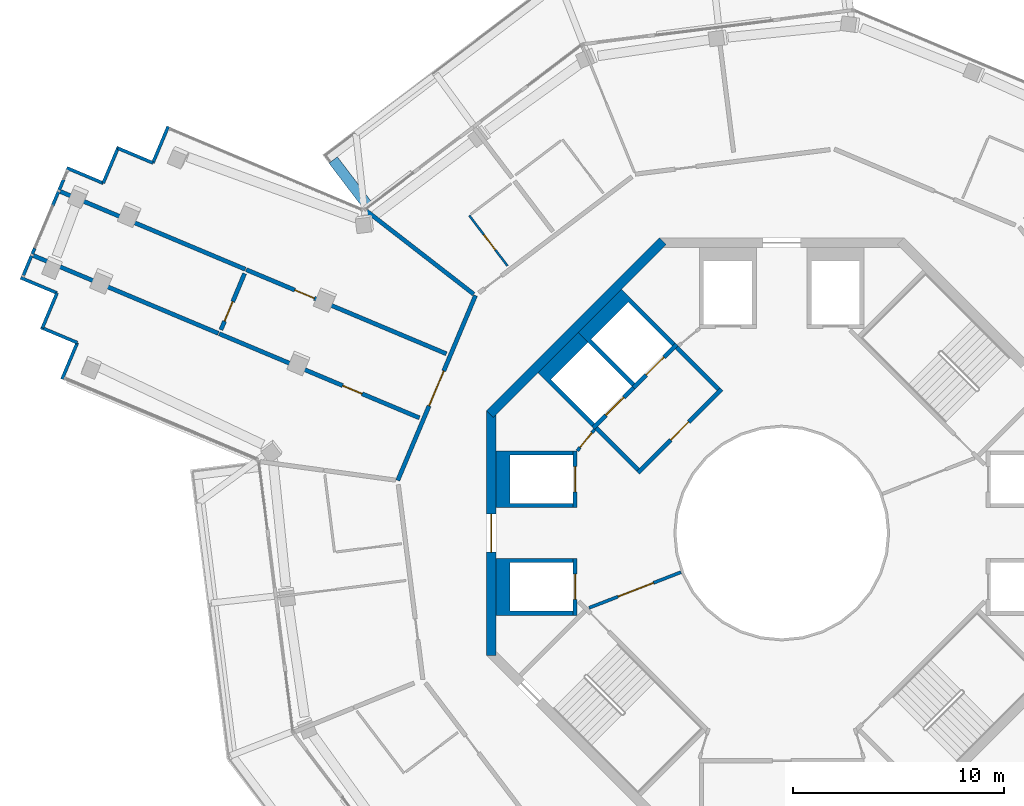
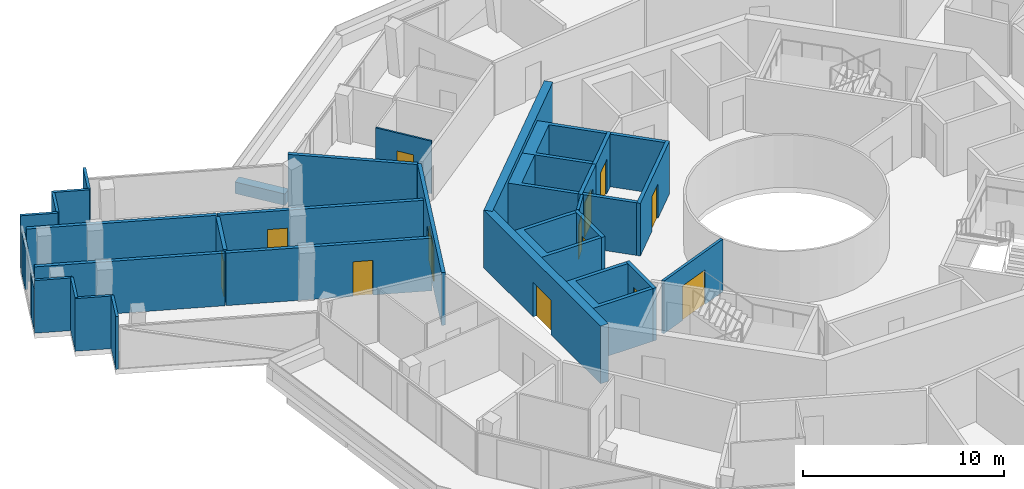
# One storey, part 20 of 26: 36 walls, 13 doors, 13 openings.
"""IFC4 building model written with IfcOpenShell, lengths in metres."""

import ifcopenshell
import ifcopenshell.guid

model = None  # the IFC model being written
_history = None  # IfcOwnerHistory: only IFC2X3 demands one
_inside = {}  # id of a spatial element -> (the spatial element, [elements in it])
_under = {}  # id of a project, library or spatial element -> (it, [spatial elements below it])
_declared = {}  # id of a project -> (the project, [libraries it declares])
_typed = {}  # id of a type object -> (the type object, [elements of that type])
_made_of = {}  # id of a material, layer set ... -> (it, [elements and type objects made of it])


def new_model(schema):
    """Start an empty IFC model of exactly this schema.

    Asked for "IFC4X3", IfcOpenShell would pick the latest addendum, in which some entities
    have other attributes; the version numbers below select the first issue.
    IFC2X3 requires an IfcOwnerHistory on every rooted entity: one is made here for all.
    """
    global model, _history
    if schema == "IFC4X3":
        model = ifcopenshell.file(schema_version=(4, 3, 0, 0))
    else:
        model = ifcopenshell.file(schema=schema)
    _inside.clear()
    _under.clear()
    _declared.clear()
    _typed.clear()
    _made_of.clear()
    _history = None
    if model.schema == "IFC2X3":
        org = make("IfcOrganization", Name="unknown")
        user = make(
            "IfcPersonAndOrganization",
            ThePerson=make("IfcPerson", FamilyName="unknown"),
            TheOrganization=org,
        )
        app = make(
            "IfcApplication",
            ApplicationDeveloper=org,
            Version="unknown",
            ApplicationFullName="unknown",
            ApplicationIdentifier="unknown",
        )
        _history = make(
            "IfcOwnerHistory",
            OwningUser=user,
            OwningApplication=app,
            ChangeAction="ADDED",
            CreationDate=0,
        )
    return model


def make(cls, **values):
    """One entity of the class cls with the attributes given. An attribute that is None is left unset."""
    return model.create_entity(
        cls, **{name: value for name, value in values.items() if value is not None}
    )


def rooted(cls, **values):
    """An entity with a GlobalId (a new one), such as an element, a storey or a relation."""
    return make(cls, GlobalId=ifcopenshell.guid.new(), OwnerHistory=_history, **values)


def si_unit(unit_type, name, prefix=None):
    """IfcSIUnit, for example si_unit("LENGTHUNIT", "METRE", prefix="MILLI")."""
    return make("IfcSIUnit", UnitType=unit_type, Prefix=prefix, Name=name)


def assignment(units):
    """IfcUnitAssignment: the units of a project."""
    return None if units is None else make("IfcUnitAssignment", Units=units)


def point(xyz):
    """IfcCartesianPoint."""
    return None if xyz is None else make("IfcCartesianPoint", Coordinates=xyz)


def direction(xyz):
    """IfcDirection."""
    return None if xyz is None else make("IfcDirection", DirectionRatios=xyz)


def frame(location, z_axis=None, x_axis=None):
    """IfcAxis2Placement3D, a coordinate frame: its origin and axes. An axis left out is left unset."""
    return make(
        "IfcAxis2Placement3D",
        Location=point(location),
        Axis=direction(z_axis),
        RefDirection=direction(x_axis),
    )


def frame_2d(location, x_axis=None):
    """IfcAxis2Placement2D, a coordinate frame in the plane: its origin and x axis."""
    return make(
        "IfcAxis2Placement2D", Location=point(location), RefDirection=direction(x_axis)
    )


def origin():
    """The frame at (0, 0, 0) with its axes left unset."""
    return frame((0.0, 0.0, 0.0))


def place(relative_to, where):
    """IfcLocalPlacement: puts the frame where relative to a parent placement (None: the world)."""
    return make(
        "IfcLocalPlacement", PlacementRelTo=relative_to, RelativePlacement=where
    )


def context(
    kind, dimensions, precision=None, world=None, true_north=None, identifier=None
):
    """IfcGeometricRepresentationContext, for example the 3D "Model" context."""
    return make(
        "IfcGeometricRepresentationContext",
        ContextIdentifier=identifier,
        ContextType=kind,
        CoordinateSpaceDimension=dimensions,
        Precision=precision,
        WorldCoordinateSystem=world,
        TrueNorth=true_north,
    )


def subcontext(parent, identifier, kind, view, scale=None):
    """IfcGeometricRepresentationSubContext, for example "Body" below "Model"."""
    return make(
        "IfcGeometricRepresentationSubContext",
        ContextIdentifier=identifier,
        ContextType=kind,
        ParentContext=parent,
        TargetScale=scale,
        TargetView=view,
    )


def project(units=None, contexts=None):
    """IfcProject with its units and contexts."""
    return rooted(
        "IfcProject",
        Name="project",
        RepresentationContexts=contexts,
        UnitsInContext=assignment(units),
    )


def spatial(cls, under=None, at=None, **own):
    """A site, building, storey or space (cls), placed at a placement, below another one or the project."""
    s = rooted(cls, ObjectPlacement=at, **own)
    if under is not None:
        _under.setdefault(under.id(), (under, []))[1].append(s)
    return s


def polyline(points):
    """IfcPolyline through the points."""
    return make("IfcPolyline", Points=[point(p) for p in points])


def profile(cls, at=None, kind="AREA", **sizes):
    """A parametric profile (cls). Its sizes go by their IFC names, for example OverallWidth=200.0."""
    return make(cls, ProfileType=kind, Position=at, **sizes)


def rectangle(**sizes):
    """IfcRectangleProfileDef."""
    return profile("IfcRectangleProfileDef", **sizes)


def outline(outer, holes=None, kind="AREA"):
    """IfcArbitraryClosedProfileDef: a profile drawn as a closed curve; with holes, ...WithVoids."""
    if holes is None:
        return make("IfcArbitraryClosedProfileDef", ProfileType=kind, OuterCurve=outer)
    return make(
        "IfcArbitraryProfileDefWithVoids",
        ProfileType=kind,
        OuterCurve=outer,
        InnerCurves=holes,
    )


def extrude(swept, where, along, depth):
    """IfcExtrudedAreaSolid: the profile swept, set in the frame where, extruded along a direction by depth."""
    return make(
        "IfcExtrudedAreaSolid",
        SweptArea=swept,
        Position=where,
        ExtrudedDirection=direction(along),
        Depth=depth,
    )


def shape(context_of_items, identifier, shape_type, items):
    """IfcShapeRepresentation: the items that make up one representation, for example the "Body"."""
    return make(
        "IfcShapeRepresentation",
        ContextOfItems=context_of_items,
        RepresentationIdentifier=identifier,
        RepresentationType=shape_type,
        Items=items,
    )


def material(Name=None, Category=None):
    """IfcMaterial."""
    return make("IfcMaterial", Name=Name, Category=Category)


def layer(
    of_material, thickness, ventilated=None, Name=None, Category=None, Priority=None
):
    """IfcMaterialLayer: one layer of a wall or slab, of a material (None: an air gap)."""
    return make(
        "IfcMaterialLayer",
        Material=of_material,
        LayerThickness=thickness,
        IsVentilated=ventilated,
        Name=Name,
        Category=Category,
        Priority=Priority,
    )


def layer_set(layers, Name=None):
    """IfcMaterialLayerSet."""
    return make("IfcMaterialLayerSet", MaterialLayers=layers, LayerSetName=Name)


def made_of(thing, what):
    """Note that an element or type object is made of a material, layer set ...; save() writes the relation."""
    if what is not None:
        _made_of.setdefault(what.id(), (what, []))[1].append(thing)
    return thing


def type_object(cls, material=None, **own):
    """A type object (cls), such as IfcWallType, which elements share."""
    return made_of(rooted(cls, **own), material)


def element(
    cls,
    number,
    at=None,
    inside=None,
    cuts=None,
    type_object=None,
    material=None,
    context=None,
    identifier="Body",
    shape_type=None,
    held_by="IfcProductDefinitionShape",
    body=None,
    shapes=None,
    **own,
):
    """One element of the class cls, such as IfcWall. Its Tag is "e" and its number.

    at: its placement. inside: the storey or other place that contains it. cuts: it is an
    opening in that element (IfcRelVoidsElement). A single representation is given by context,
    identifier, shape_type and body (its items); several are given by shapes. held_by: the class
    of the entity that holds the representations. save() writes the other relations.
    """
    e = rooted(cls, Tag="e%d" % number, ObjectPlacement=at, **own)
    if body is not None:
        shapes = [shape(context, identifier, shape_type, body)]
    if shapes is not None:
        e.Representation = make(held_by, Representations=shapes)
    if inside is not None:
        _inside.setdefault(inside.id(), (inside, []))[1].append(e)
    if cuts is not None:
        rooted(
            "IfcRelVoidsElement", RelatingBuildingElement=cuts, RelatedOpeningElement=e
        )
    if type_object is not None:
        _typed.setdefault(type_object.id(), (type_object, []))[1].append(e)
    return made_of(e, material)


def fill(opening, filler):
    """IfcRelFillsElement: the door or window that sits in an opening."""
    return rooted(
        "IfcRelFillsElement",
        RelatingOpeningElement=opening,
        RelatedBuildingElement=filler,
    )


def aggregate(whole, parts):
    """IfcRelAggregates: a whole, such as a stair, and the parts it consists of."""
    return rooted("IfcRelAggregates", RelatingObject=whole, RelatedObjects=parts)


def save(model, path):
    """Write the relations noted so far, then the file.

    IfcRelAggregates (storeys below a building ...), IfcRelContainedInSpatialStructure (elements
    in a storey), IfcRelDefinesByType, IfcRelAssociatesMaterial and IfcRelDeclares: one each for
    every whole, place, type object, material and project.
    """
    for whole, parts in _under.values():
        aggregate(whole, parts)
    for where, things in _inside.values():
        rooted(
            "IfcRelContainedInSpatialStructure",
            RelatedElements=things,
            RelatingStructure=where,
        )
    for kind, things in _typed.values():
        rooted("IfcRelDefinesByType", RelatedObjects=things, RelatingType=kind)
    for what, things in _made_of.values():
        rooted("IfcRelAssociatesMaterial", RelatedObjects=things, RelatingMaterial=what)
    for by, libraries in _declared.values():
        rooted("IfcRelDeclares", RelatingContext=by, RelatedDefinitions=libraries)
    model.write(path)


model = new_model("IFC4")

# Units and contexts
model_context = context("Model", 3, precision=1e-05, world=origin(), true_north=direction((0.0, 1.0)))
body_context = subcontext(model_context, "Body", "Model", "MODEL_VIEW")
ifc_project = project(units=[si_unit("LENGTHUNIT", "METRE"), si_unit("AREAUNIT", "SQUARE_METRE"), si_unit("VOLUMEUNIT", "CUBIC_METRE"), si_unit("PLANEANGLEUNIT", "RADIAN"), si_unit("MASSUNIT", "GRAM", prefix="KILO")], contexts=[model_context])

# Site, building, storey
site_placement = place(None, origin())
site = spatial("IfcSite", under=ifc_project, at=site_placement, CompositionType="ELEMENT")
building_placement = place(site_placement, origin())
building = spatial("IfcBuilding", under=site, at=building_placement, Name="Verdalira Terraces Hotel", CompositionType="ELEMENT")
storey_placement = place(building_placement, frame((0.0, 0.0, 306.5)))
storey = spatial("IfcBuildingStorey", under=building, at=storey_placement, Name="L76", CompositionType="ELEMENT", Elevation=306.5)

# Wall
ifc_material_1 = material(Name="Concrete C40", Category="concrete")
ifc_layer_1 = layer(ifc_material_1, 0.5)
ifc_layer_set_1 = layer_set([ifc_layer_1], Name="Balcony planter trough with tree")
wall_type_1 = type_object("IfcWallType", Name="Balcony planter trough with tree", PredefinedType="SOLIDWALL", material=ifc_layer_set_1)
wall_1_placement = place(storey_placement, frame((-21.277344, 17.694336, 0.0), z_axis=(0.0, 0.0, 1.0), x_axis=(0.604592354, -0.79653505, 0.0)))
element("IfcWall", 1, at=wall_1_placement, inside=storey, type_object=wall_type_1, Name="Balcony planter", PredefinedType="SOLIDWALL", context=body_context, shape_type="SweptSolid", body=[
    extrude(rectangle(XDim=2.698975, YDim=0.5, at=frame_2d((1.349609, 0.0))), origin(), (0.0, 0.0, 1.0), 0.699951),
])

# Wall, opening, door
ifc_material_2 = material(Name="Moisture-resistant gypsum board partition")
ifc_layer_2 = layer(ifc_material_2, 0.10009765625)
ifc_layer_set_2 = layer_set([ifc_layer_2], Name="Bathroom partition 100 mm")
wall_type_2 = type_object("IfcWallType", Name="Bathroom partition 100 mm", PredefinedType="PARTITIONING", material=ifc_layer_set_2)
wall_2_placement = place(storey_placement, frame((-14.822021, 15.061523, 0.0), z_axis=(0.0, 0.0, 1.0), x_axis=(0.604573486, -0.796549371, 0.0)))
wall_2 = element("IfcWall", 2, at=wall_2_placement, inside=storey, type_object=wall_type_2, Name="Bathroom partition", PredefinedType="PARTITIONING", context=body_context, shape_type="SweptSolid", body=[
    extrude(rectangle(XDim=3.0, YDim=0.100098, at=frame_2d((1.5, 0.0))), origin(), (0.0, 0.0, 1.0), 3.189941),
])
opening_1_placement = place(wall_2_placement, frame((1.149902, 0.0, 0.0)))
opening_1 = element("IfcOpeningElement", 3, at=opening_1_placement, cuts=wall_2, Name="Opening L76-133", PredefinedType="OPENING", context=body_context, shape_type="SweptSolid", body=[
    extrude(rectangle(XDim=0.899902, YDim=2.100098, at=frame_2d((0.449951, 1.050049))), frame((0.0, 0.060059, 0.0), z_axis=(0.0, -1.0, 0.0), x_axis=(1.0, 0.0, 0.0)), (0.0, 0.0, 1.0), 0.120117),
])
ifc_material_3 = material(Name="Timber door", Category="wood")
door_type_1 = type_object("IfcDoorType", Name="Bathroom door 900 x 2100", OperationType="NOTDEFINED", PredefinedType="DOOR", material=ifc_material_3)
door_1_placement = place(opening_1_placement, origin())
door_1 = element("IfcDoor", 4, at=door_1_placement, inside=storey, type_object=door_type_1, Name="Bathroom door 7613", OperationType="SINGLE_SWING_LEFT", OverallHeight=2.10009765625, OverallWidth=0.89990234375, PredefinedType="DOOR", context=body_context, shape_type="SweptSolid", body=[
    extrude(rectangle(XDim=0.899902, YDim=2.100098, at=frame_2d((0.449951, 1.050049))), frame((0.0, 0.024902, 0.0), z_axis=(0.0, -1.0, 0.0), x_axis=(1.0, 0.0, 0.0)), (0.0, 0.0, 1.0), 0.050049),
])
fill(opening_1, door_1)

# Wall
ifc_material_4 = material(Name="Concrete C50", Category="concrete")
ifc_layer_3 = layer(ifc_material_4, 0.199951171875)
ifc_layer_set_3 = layer_set([ifc_layer_3], Name="Core RC wall 200 C50")
wall_type_3 = type_object("IfcWallType", Name="Core RC wall 200 C50", PredefinedType="SOLIDWALL", material=ifc_layer_set_3)
wall_3_placement = place(storey_placement, origin())
element("IfcWall", 5, at=wall_3_placement, inside=storey, type_object=wall_type_3, Name="L76 shaft wall W1", PredefinedType="SOLIDWALL", context=body_context, shape_type="SweptSolid", body=[
    extrude(outline(polyline([(-13.550049, 3.899902), (-9.899902, 3.899902), (-9.899902, 3.699951), (-12.899902, 3.699951), (-12.899902, 1.399902), (-9.899902, 1.399902), (-9.899902, 1.199951), (-13.550049, 1.199951), (-13.550049, 3.899902)])), origin(), (0.0, 0.0, 1.0), 3.189941),
])

# Wall, opening, door
wall_4_placement = place(storey_placement, frame((-9.800049, 1.199951, 0.0), z_axis=(0.0, 0.0, 1.0), x_axis=(0.0, 1.0, 0.0)))
wall_4 = element("IfcWall", 6, at=wall_4_placement, inside=storey, type_object=wall_type_3, Name="L76 shaft front wall W1", PredefinedType="SOLIDWALL", context=body_context, shape_type="SweptSolid", body=[
    extrude(rectangle(XDim=2.699951, YDim=0.199951, at=frame_2d((1.350098, 0.0))), origin(), (0.0, 0.0, 1.0), 3.189941),
])
opening_2_placement = place(wall_4_placement, frame((0.75, 0.0, 0.0)))
opening_2 = element("IfcOpeningElement", 7, at=opening_2_placement, cuts=wall_4, Name="Opening LD-L76-806", PredefinedType="OPENING", context=body_context, shape_type="SweptSolid", body=[
    extrude(rectangle(XDim=1.199951, YDim=2.100098, at=frame_2d((0.600098, 1.050049))), frame((0.0, 0.109863, 0.0), z_axis=(0.0, -1.0, 0.0), x_axis=(1.0, 0.0, 0.0)), (0.0, 0.0, 1.0), 0.219971),
])
ifc_material_5 = material(Name="Stainless steel", Category="steel")
door_type_2 = type_object("IfcDoorType", Name="Landing door 1200 x 2100", OperationType="NOTDEFINED", PredefinedType="DOOR", material=ifc_material_5)
door_2_placement = place(opening_2_placement, origin())
door_2 = element("IfcDoor", 8, at=door_2_placement, inside=storey, type_object=door_type_2, Name="Lift landing door HR5 L76", OperationType="DOUBLE_DOOR_SLIDING", OverallHeight=2.10009765625, OverallWidth=1.199951171875, PredefinedType="DOOR", context=body_context, shape_type="SweptSolid", body=[
    extrude(rectangle(XDim=1.199951, YDim=2.100098, at=frame_2d((0.600098, 1.050049))), frame((0.0, 0.024902, 0.0), z_axis=(0.0, -1.0, 0.0), x_axis=(1.0, 0.0, 0.0)), (0.0, 0.0, 1.0), 0.050049),
])
fill(opening_2, door_2)

# Wall
wall_5_placement = place(storey_placement, origin())
element("IfcWall", 9, at=wall_5_placement, inside=storey, type_object=wall_type_3, Name="L76 shaft wall W2", PredefinedType="SOLIDWALL", context=body_context, shape_type="SweptSolid", body=[
    extrude(outline(polyline([(-13.550049, -3.899902), (-13.550049, -1.199951), (-9.899902, -1.199951), (-9.899902, -1.399902), (-12.899902, -1.399902), (-12.899902, -3.699951), (-9.899902, -3.699951), (-9.899902, -3.899902), (-13.550049, -3.899902)])), origin(), (0.0, 0.0, 1.0), 3.189941),
])

# Wall, opening, door
wall_6_placement = place(storey_placement, frame((-9.800049, -1.199951, 0.0), z_axis=(0.0, 0.0, 1.0), x_axis=(0.0, -1.0, 0.0)))
wall_6 = element("IfcWall", 10, at=wall_6_placement, inside=storey, type_object=wall_type_3, Name="L76 shaft front wall W2", PredefinedType="SOLIDWALL", context=body_context, shape_type="SweptSolid", body=[
    extrude(rectangle(XDim=2.699951, YDim=0.199951, at=frame_2d((1.350098, 0.0))), origin(), (0.0, 0.0, 1.0), 3.189941),
])
opening_3_placement = place(wall_6_placement, frame((0.75, 0.0, 0.0)))
opening_3 = element("IfcOpeningElement", 11, at=opening_3_placement, cuts=wall_6, Name="Opening LD-L76-807", PredefinedType="OPENING", context=body_context, shape_type="SweptSolid", body=[
    extrude(rectangle(XDim=1.199951, YDim=2.100098, at=frame_2d((0.600098, 1.050049))), frame((0.0, 0.109863, 0.0), z_axis=(0.0, -1.0, 0.0), x_axis=(1.0, 0.0, 0.0)), (0.0, 0.0, 1.0), 0.219971),
])
door_3_placement = place(opening_3_placement, origin())
door_3 = element("IfcDoor", 12, at=door_3_placement, inside=storey, type_object=door_type_2, Name="Lift landing door HR6 L76", OperationType="DOUBLE_DOOR_SLIDING", OverallHeight=2.10009765625, OverallWidth=1.199951171875, PredefinedType="DOOR", context=body_context, shape_type="SweptSolid", body=[
    extrude(rectangle(XDim=1.199951, YDim=2.100098, at=frame_2d((0.600098, 1.050049))), frame((0.0, 0.024902, 0.0), z_axis=(0.0, -1.0, 0.0), x_axis=(1.0, 0.0, 0.0)), (0.0, 0.0, 1.0), 0.050049),
])
fill(opening_3, door_3)

# Wall
wall_7_placement = place(storey_placement, origin())
element("IfcWall", 13, at=wall_7_placement, inside=storey, type_object=wall_type_3, Name="L76 shaft wall F1", PredefinedType="SOLIDWALL", context=body_context, shape_type="SweptSolid", body=[
    extrude(outline(polyline([(-9.6521, 9.510498), (-7.601318, 11.561279), (-5.055908, 9.015625), (-5.197266, 8.874268), (-7.283203, 10.960205), (-9.051025, 9.192383), (-6.965088, 7.106445), (-7.106445, 6.965088), (-9.6521, 9.510498)])), origin(), (0.0, 0.0, 1.0), 3.189941),
])

# Wall, opening, door
wall_8_placement = place(storey_placement, frame((-4.985107, 8.944824, 0.0), z_axis=(0.0, 0.0, 1.0), x_axis=(-0.707106781, -0.707106781, 0.0)))
wall_8 = element("IfcWall", 14, at=wall_8_placement, inside=storey, type_object=wall_type_3, Name="L76 shaft front wall F1", PredefinedType="SOLIDWALL", context=body_context, shape_type="SweptSolid", body=[
    extrude(rectangle(XDim=2.899902, YDim=0.199951, at=frame_2d((1.449951, 0.0))), origin(), (0.0, 0.0, 1.0), 3.189941),
])
opening_4_placement = place(wall_8_placement, frame((0.850098, 0.0, 0.0)))
opening_4 = element("IfcOpeningElement", 15, at=opening_4_placement, cuts=wall_8, Name="Opening LD-L76-808", PredefinedType="OPENING", context=body_context, shape_type="SweptSolid", body=[
    extrude(rectangle(XDim=1.199951, YDim=2.100098, at=frame_2d((0.600098, 1.050049))), frame((0.0, 0.109863, 0.0), z_axis=(0.0, -1.0, 0.0), x_axis=(1.0, 0.0, 0.0)), (0.0, 0.0, 1.0), 0.219971),
])
door_4_placement = place(opening_4_placement, origin())
door_4 = element("IfcDoor", 16, at=door_4_placement, inside=storey, type_object=door_type_2, Name="Lift landing door LF11 L76", OperationType="DOUBLE_DOOR_SLIDING", OverallHeight=2.10009765625, OverallWidth=1.199951171875, PredefinedType="DOOR", context=body_context, shape_type="SweptSolid", body=[
    extrude(rectangle(XDim=1.199951, YDim=2.100098, at=frame_2d((0.600098, 1.050049))), frame((0.0, 0.024902, 0.0), z_axis=(0.0, -1.0, 0.0), x_axis=(1.0, 0.0, 0.0)), (0.0, 0.0, 1.0), 0.050049),
])
fill(opening_4, door_4)

# Wall
wall_9_placement = place(storey_placement, origin())
element("IfcWall", 17, at=wall_9_placement, inside=storey, type_object=wall_type_3, Name="L76 shaft wall F2", PredefinedType="SOLIDWALL", context=body_context, shape_type="SweptSolid", body=[
    extrude(outline(polyline([(-11.561279, 7.601318), (-9.6521, 9.510498), (-9.192383, 9.051025), (-10.960205, 7.283203), (-8.874268, 5.197266), (-9.015625, 5.055908), (-11.561279, 7.601318)])), origin(), (0.0, 0.0, 1.0), 3.189941),
])

# Wall, opening, door
wall_10_placement = place(storey_placement, frame((-7.035645, 6.894287, 0.0), z_axis=(0.0, 0.0, 1.0), x_axis=(-0.707106781, -0.707106781, 0.0)))
wall_10 = element("IfcWall", 18, at=wall_10_placement, inside=storey, type_object=wall_type_3, Name="L76 shaft front wall F2", PredefinedType="SOLIDWALL", context=body_context, shape_type="SweptSolid", body=[
    extrude(rectangle(XDim=2.699951, YDim=0.199951, at=frame_2d((1.350098, 0.0))), origin(), (0.0, 0.0, 1.0), 3.189941),
])
opening_5_placement = place(wall_10_placement, frame((0.649902, 0.0, 0.0)))
opening_5 = element("IfcOpeningElement", 19, at=opening_5_placement, cuts=wall_10, Name="Opening LD-L76-809", PredefinedType="OPENING", context=body_context, shape_type="SweptSolid", body=[
    extrude(rectangle(XDim=1.199951, YDim=2.100098, at=frame_2d((0.600098, 1.050049))), frame((0.0, 0.109863, 0.0), z_axis=(0.0, -1.0, 0.0), x_axis=(1.0, 0.0, 0.0)), (0.0, 0.0, 1.0), 0.219971),
])
door_5_placement = place(opening_5_placement, origin())
door_5 = element("IfcDoor", 20, at=door_5_placement, inside=storey, type_object=door_type_2, Name="Lift landing door LF12 L76", OperationType="DOUBLE_DOOR_SLIDING", OverallHeight=2.10009765625, OverallWidth=1.199951171875, PredefinedType="DOOR", context=body_context, shape_type="SweptSolid", body=[
    extrude(rectangle(XDim=1.199951, YDim=2.100098, at=frame_2d((0.600098, 1.050049))), frame((0.0, 0.024902, 0.0), z_axis=(0.0, -1.0, 0.0), x_axis=(1.0, 0.0, 0.0)), (0.0, 0.0, 1.0), 0.050049),
])
fill(opening_5, door_5)

wall_11_placement = place(storey_placement, frame((-2.86377, 6.823486, 0.0), z_axis=(0.0, 0.0, 1.0), x_axis=(-0.707106781, -0.707106781, 0.0)))
wall_11 = element("IfcWall", 21, at=wall_11_placement, inside=storey, type_object=wall_type_3, Name="L76 fire lobby wall", PredefinedType="SOLIDWALL", context=body_context, shape_type="SweptSolid", body=[
    extrude(rectangle(XDim=5.599854, YDim=0.199951, at=frame_2d((2.799805, 0.0))), origin(), (0.0, 0.0, 1.0), 3.189941),
])
opening_6_placement = place(wall_11_placement, frame((2.199951, 0.0, 0.0)))
opening_6 = element("IfcOpeningElement", 22, at=opening_6_placement, cuts=wall_11, Name="Opening L76-819", PredefinedType="OPENING", context=body_context, shape_type="SweptSolid", body=[
    extrude(rectangle(XDim=1.199951, YDim=2.100098, at=frame_2d((0.600098, 1.050049))), frame((0.0, 0.109863, 0.0), z_axis=(0.0, -1.0, 0.0), x_axis=(1.0, 0.0, 0.0)), (0.0, 0.0, 1.0), 0.219971),
])
ifc_material_6 = material(Name="Steel fire door", Category="steel")
door_type_3 = type_object("IfcDoorType", Name="Lobby door 1200 x 2100", OperationType="NOTDEFINED", PredefinedType="DOOR", material=ifc_material_6)
door_6_placement = place(opening_6_placement, origin())
door_6 = element("IfcDoor", 23, at=door_6_placement, inside=storey, type_object=door_type_3, Name="Fire lobby door L76", OperationType="SINGLE_SWING_LEFT", OverallHeight=2.10009765625, OverallWidth=1.199951171875, PredefinedType="DOOR", context=body_context, shape_type="SweptSolid", body=[
    extrude(rectangle(XDim=1.199951, YDim=2.100098, at=frame_2d((0.600098, 1.050049))), frame((0.0, 0.024902, 0.0), z_axis=(0.0, -1.0, 0.0), x_axis=(1.0, 0.0, 0.0)), (0.0, 0.0, 1.0), 0.050049),
])
fill(opening_6, door_6)

# Walls
for number, where, z_axis, x_axis, name in (
    (24, (-3.005127, 6.823486, 0.0), (0.0, 0.0, 1.0), (-0.707106781, 0.707106781, 0.0), "L76 fire lobby wall"),
    (25, (-6.823486, 3.005127, 0.0), (0.0, 0.0, 1.0), (-0.707106781, 0.707106781, 0.0), "L76 fire lobby wall"),
):
    element("IfcWall", number, at=place(storey_placement, frame(where, z_axis=z_axis, x_axis=x_axis)), inside=storey, type_object=wall_type_3, Name=name, PredefinedType="SOLIDWALL", context=body_context, shape_type="SweptSolid", body=[
        extrude(rectangle(XDim=2.800049, YDim=0.199951, at=frame_2d((1.399902, 0.0))), origin(), (0.0, 0.0, 1.0), 3.189941),
    ])

# Wall, opening, door
ifc_material_7 = material(Name="Gypsum board partition")
ifc_layer_4 = layer(ifc_material_7, 0.14990234375)
ifc_layer_set_4 = layer_set([ifc_layer_4], Name="Core partition 150 mm")
wall_type_4 = type_object("IfcWallType", Name="Core partition 150 mm", PredefinedType="PARTITIONING", material=ifc_layer_set_4)
wall_12_placement = place(storey_placement, frame((-8.874268, 4.914307, 0.0), z_axis=(0.0, 0.0, 1.0), x_axis=(-0.631274009, -0.775559878, 0.0)))
wall_12 = element("IfcWall", 26, at=wall_12_placement, inside=storey, type_object=wall_type_4, Name="Room partition L76", PredefinedType="PARTITIONING", context=body_context, shape_type="SweptSolid", body=[
    extrude(rectangle(XDim=1.307861, YDim=0.149902, at=frame_2d((0.653809, 0.0))), origin(), (0.0, 0.0, 1.0), 3.189941),
])
opening_7_placement = place(wall_12_placement, frame((0.204102, 0.0, 0.0)))
opening_7 = element("IfcOpeningElement", 27, at=opening_7_placement, cuts=wall_12, Name="Opening L76-821", PredefinedType="OPENING", context=body_context, shape_type="SweptSolid", body=[
    extrude(rectangle(XDim=0.899902, YDim=2.100098, at=frame_2d((0.449951, 1.050049))), frame((0.0, 0.084961, 0.0), z_axis=(0.0, -1.0, 0.0), x_axis=(1.0, 0.0, 0.0)), (0.0, 0.0, 1.0), 0.169922),
])
ifc_material_8 = material(Name="Steel fire door", Category="steel")
door_type_4 = type_object("IfcDoorType", Name="Core room door 900 x 2100", OperationType="NOTDEFINED", PredefinedType="DOOR", material=ifc_material_8)
door_7_placement = place(opening_7_placement, origin())
door_7 = element("IfcDoor", 28, at=door_7_placement, inside=storey, type_object=door_type_4, Name="Door L76 room3", OperationType="SINGLE_SWING_LEFT", OverallHeight=2.10009765625, OverallWidth=0.89990234375, PredefinedType="DOOR", context=body_context, shape_type="SweptSolid", body=[
    extrude(rectangle(XDim=0.899902, YDim=2.100098, at=frame_2d((0.449951, 1.050049))), frame((0.0, 0.024902, 0.0), z_axis=(0.0, -1.0, 0.0), x_axis=(1.0, 0.0, 0.0)), (0.0, 0.0, 1.0), 0.050049),
])
fill(opening_7, door_7)

wall_13_placement = place(storey_placement, frame((-4.781982, -1.857178, 0.0), z_axis=(0.0, 0.0, 1.0), x_axis=(-0.932167228, -0.36202798, 0.0)))
wall_13 = element("IfcWall", 29, at=wall_13_placement, inside=storey, type_object=wall_type_4, Name="Gallery fire partition L76", PredefinedType="PARTITIONING", context=body_context, shape_type="SweptSolid", body=[
    extrude(rectangle(XDim=4.676025, YDim=0.149902, at=frame_2d((2.337891, 0.0))), origin(), (0.0, 0.0, 1.0), 3.189941),
])
opening_8_placement = place(wall_13_placement, frame((1.399902, 0.0, 0.0)))
opening_8 = element("IfcOpeningElement", 30, at=opening_8_placement, cuts=wall_13, Name="Opening L76-825", PredefinedType="OPENING", context=body_context, shape_type="SweptSolid", body=[
    extrude(rectangle(XDim=1.800049, YDim=2.100098, at=frame_2d((0.899902, 1.050049))), frame((0.0, 0.084961, 0.0), z_axis=(0.0, -1.0, 0.0), x_axis=(1.0, 0.0, 0.0)), (0.0, 0.0, 1.0), 0.169922),
])
ifc_material_9 = material(Name="Steel fire door", Category="steel")
door_type_5 = type_object("IfcDoorType", Name="Gallery fire door pair 1800 x 2100", OperationType="NOTDEFINED", PredefinedType="DOOR", material=ifc_material_9)
door_8_placement = place(opening_8_placement, origin())
door_8 = element("IfcDoor", 31, at=door_8_placement, inside=storey, type_object=door_type_5, Name="Door L76 split4", OperationType="DOUBLE_DOOR_SINGLE_SWING", OverallHeight=2.10009765625, OverallWidth=1.800048828125, PredefinedType="DOOR", context=body_context, shape_type="SweptSolid", body=[
    extrude(rectangle(XDim=1.800049, YDim=2.100098, at=frame_2d((0.899902, 1.050049))), frame((0.0, 0.024902, 0.0), z_axis=(0.0, -1.0, 0.0), x_axis=(1.0, 0.0, 0.0)), (0.0, 0.0, 1.0), 0.050049),
])
fill(opening_8, door_8)

# Wall
ifc_material_10 = material(Name="Concrete C50", Category="concrete")
ifc_layer_5 = layer(ifc_material_10, 0.449951171875)
ifc_layer_set_5 = layer_set([ifc_layer_5], Name="Core wall 450 C50")
wall_type_5 = type_object("IfcWallType", Name="Core wall 450 C50", PredefinedType="SHEAR", material=ifc_layer_set_5)
wall_14_placement = place(storey_placement, frame((-5.639893, 13.84082, 0.0), z_axis=(0.0, 0.0, 1.0), x_axis=(-0.707106781, -0.707106781, 0.0)))
element("IfcWall", 32, at=wall_14_placement, inside=storey, type_object=wall_type_5, Name="Core wall CW-L76-4", PredefinedType="SHEAR", context=body_context, shape_type="SweptSolid", body=[
    extrude(rectangle(XDim=11.5979, YDim=0.449951, at=frame_2d((5.798828, 0.0))), origin(), (0.0, 0.0, 1.0), 3.5),
])

# Wall, opening, door
wall_15_placement = place(storey_placement, frame((-13.774902, 5.799072, 0.0), z_axis=(0.0, 0.0, 1.0), x_axis=(0.0, -1.0, 0.0)))
wall_15 = element("IfcWall", 33, at=wall_15_placement, inside=storey, type_object=wall_type_5, Name="Core wall CW-L76-5", PredefinedType="SHEAR", context=body_context, shape_type="SweptSolid", body=[
    extrude(rectangle(XDim=11.598145, YDim=0.449951, at=frame_2d((5.799072, 0.0))), origin(), (0.0, 0.0, 1.0), 3.5),
])
opening_9_placement = place(wall_15_placement, frame((4.898926, 0.0, 0.0)))
opening_9 = element("IfcOpeningElement", 34, at=opening_9_placement, cuts=wall_15, Name="Opening L76-815", PredefinedType="OPENING", context=body_context, shape_type="SweptSolid", body=[
    extrude(rectangle(XDim=1.800049, YDim=2.100098, at=frame_2d((0.899902, 1.050049))), frame((0.0, 0.234863, 0.0), z_axis=(0.0, -1.0, 0.0), x_axis=(1.0, 0.0, 0.0)), (0.0, 0.0, 1.0), 0.469971),
])
ifc_material_11 = material(Name="Steel fire door", Category="steel")
door_type_6 = type_object("IfcDoorType", Name="Core entry door pair 1800 x 2100", OperationType="NOTDEFINED", PredefinedType="DOOR", material=ifc_material_11)
door_9_placement = place(opening_9_placement, origin())
door_9 = element("IfcDoor", 35, at=door_9_placement, inside=storey, type_object=door_type_6, Name="Core entry door L76 4", OperationType="DOUBLE_DOOR_SINGLE_SWING", OverallHeight=2.10009765625, OverallWidth=1.800048828125, PredefinedType="DOOR", context=body_context, shape_type="SweptSolid", body=[
    extrude(rectangle(XDim=1.800049, YDim=2.100098, at=frame_2d((0.899902, 1.050049))), frame((0.0, 0.024902, 0.0), z_axis=(0.0, -1.0, 0.0), x_axis=(1.0, 0.0, 0.0)), (0.0, 0.0, 1.0), 0.050049),
])
fill(opening_9, door_9)

# Walls
ifc_material_12 = material(Name="Fire-rated gypsum board wall")
ifc_layer_6 = layer(ifc_material_12, 0.199951171875)
ifc_layer_set_6 = layer_set([ifc_layer_6], Name="Demising wall 200 mm")
wall_type_6 = type_object("IfcWallType", Name="Demising wall 200 mm", PredefinedType="SOLIDWALL", material=ifc_layer_set_6)
for number, where, z_axis, x_axis, name in (
    (36, (-35.499512, 13.161133, 0.0), (0.0, 0.0, 1.0), (0.921862113, -0.387518056, 0.0), "Demising wall"),
    (37, (-25.445801, 12.512451, 0.0), (0.0, 0.0, 1.0), (-0.921862113, 0.387518056, 0.0), "Demising wall"),
):
    element("IfcWall", number, at=place(storey_placement, frame(where, z_axis=z_axis, x_axis=x_axis)), inside=storey, type_object=wall_type_6, Name=name, PredefinedType="SOLIDWALL", context=body_context, shape_type="SweptSolid", body=[
        extrude(rectangle(XDim=9.519531, YDim=0.199951, at=frame_2d((4.759766, 0.0))), origin(), (0.0, 0.0, 1.0), 3.189941),
    ])

# Wall, opening, door
wall_16_placement = place(storey_placement, frame((-26.602051, 9.637939, 0.0), z_axis=(0.0, 0.0, 1.0), x_axis=(0.387514611, 0.921863562, 0.0)))
wall_16 = element("IfcWall", 38, at=wall_16_placement, inside=storey, type_object=wall_type_6, Name="Demising wall", PredefinedType="SOLIDWALL", context=body_context, shape_type="SweptSolid", body=[
    extrude(rectangle(XDim=2.898193, YDim=0.199951, at=frame_2d((1.449219, 0.0))), origin(), (0.0, 0.0, 1.0), 3.189941),
])
opening_10_placement = place(wall_16_placement, frame((0.449951, 0.0, 0.0)))
opening_10 = element("IfcOpeningElement", 39, at=opening_10_placement, cuts=wall_16, Name="Opening L76-104", PredefinedType="OPENING", context=body_context, shape_type="SweptSolid", body=[
    extrude(rectangle(XDim=1.0, YDim=2.100098, at=frame_2d((0.5, 1.050049))), frame((0.0, 0.109863, 0.0), z_axis=(0.0, -1.0, 0.0), x_axis=(1.0, 0.0, 0.0)), (0.0, 0.0, 1.0), 0.219971),
])
ifc_material_13 = material(Name="Timber fire door", Category="wood")
door_type_7 = type_object("IfcDoorType", Name="Public room door 1000 x 2100", OperationType="NOTDEFINED", PredefinedType="DOOR", material=ifc_material_13)
door_10_placement = place(opening_10_placement, origin())
door_10 = element("IfcDoor", 40, at=door_10_placement, inside=storey, type_object=door_type_7, Name="Public room door 7601", OperationType="SINGLE_SWING_LEFT", OverallHeight=2.10009765625, OverallWidth=1.0, PredefinedType="DOOR", context=body_context, shape_type="SweptSolid", body=[
    extrude(rectangle(XDim=1.0, YDim=2.100098, at=frame_2d((0.5, 1.050049))), frame((0.0, 0.024902, 0.0), z_axis=(0.0, -1.0, 0.0), x_axis=(1.0, 0.0, 0.0)), (0.0, 0.0, 1.0), 0.050049),
])
fill(opening_10, door_10)

wall_17_placement = place(storey_placement, frame((-17.184326, 5.462158, 0.0), z_axis=(0.0, 0.0, 1.0), x_axis=(-0.921863611, 0.387514493, 0.0)))
wall_17 = element("IfcWall", 41, at=wall_17_placement, inside=storey, type_object=wall_type_6, Name="Demising wall", PredefinedType="SOLIDWALL", context=body_context, shape_type="SweptSolid", body=[
    extrude(rectangle(XDim=10.302002, YDim=0.199951, at=frame_2d((5.150879, 0.0))), origin(), (0.0, 0.0, 1.0), 3.189941),
])
opening_11_placement = place(wall_17_placement, frame((2.949951, 0.0, 0.0)))
opening_11 = element("IfcOpeningElement", 42, at=opening_11_placement, cuts=wall_17, Name="Opening L76-103", PredefinedType="OPENING", context=body_context, shape_type="SweptSolid", body=[
    extrude(rectangle(XDim=1.0, YDim=2.100098, at=frame_2d((0.5, 1.050049))), frame((0.0, 0.109863, 0.0), z_axis=(0.0, -1.0, 0.0), x_axis=(1.0, 0.0, 0.0)), (0.0, 0.0, 1.0), 0.219971),
])
door_11_placement = place(opening_11_placement, origin())
door_11 = element("IfcDoor", 43, at=door_11_placement, inside=storey, type_object=door_type_7, Name="Public room door 7601", OperationType="SINGLE_SWING_LEFT", OverallHeight=2.10009765625, OverallWidth=1.0, PredefinedType="DOOR", context=body_context, shape_type="SweptSolid", body=[
    extrude(rectangle(XDim=1.0, YDim=2.100098, at=frame_2d((0.5, 1.050049))), frame((0.0, 0.024902, 0.0), z_axis=(0.0, -1.0, 0.0), x_axis=(1.0, 0.0, 0.0)), (0.0, 0.0, 1.0), 0.050049),
])
fill(opening_11, door_11)

wall_18_placement = place(storey_placement, frame((-25.40332, 12.494629, 0.0), z_axis=(0.0, 0.0, 1.0), x_axis=(0.921860052, -0.387522959, 0.0)))
wall_18 = element("IfcWall", 44, at=wall_18_placement, inside=storey, type_object=wall_type_6, Name="Demising wall", PredefinedType="SOLIDWALL", context=body_context, shape_type="SweptSolid", body=[
    extrude(rectangle(XDim=10.301758, YDim=0.199951, at=frame_2d((5.150879, 0.0))), origin(), (0.0, 0.0, 1.0), 3.189941),
])
opening_12_placement = place(wall_18_placement, frame((2.5, 0.0, 0.0)))
opening_12 = element("IfcOpeningElement", 45, at=opening_12_placement, cuts=wall_18, Name="Opening L76-102", PredefinedType="OPENING", context=body_context, shape_type="SweptSolid", body=[
    extrude(rectangle(XDim=1.0, YDim=2.100098, at=frame_2d((0.5, 1.050049))), frame((0.0, 0.109863, 0.0), z_axis=(0.0, -1.0, 0.0), x_axis=(1.0, 0.0, 0.0)), (0.0, 0.0, 1.0), 0.219971),
])
door_12_placement = place(opening_12_placement, origin())
door_12 = element("IfcDoor", 46, at=door_12_placement, inside=storey, type_object=door_type_7, Name="Public room door 7601", OperationType="SINGLE_SWING_LEFT", OverallHeight=2.10009765625, OverallWidth=1.0, PredefinedType="DOOR", context=body_context, shape_type="SweptSolid", body=[
    extrude(rectangle(XDim=1.0, YDim=2.100098, at=frame_2d((0.5, 1.050049))), frame((0.0, 0.024902, 0.0), z_axis=(0.0, -1.0, 0.0), x_axis=(1.0, 0.0, 0.0)), (0.0, 0.0, 1.0), 0.050049),
])
fill(opening_12, door_12)

# Wall
wall_19_placement = place(storey_placement, frame((-19.725586, 15.300781, 0.0), z_axis=(0.0, 0.0, 1.0), x_axis=(0.790145279, -0.612919602, 0.0)))
element("IfcWall", 47, at=wall_19_placement, inside=storey, type_object=wall_type_6, Name="Demising wall", PredefinedType="SOLIDWALL", context=body_context, shape_type="SweptSolid", body=[
    extrude(rectangle(XDim=6.476074, YDim=0.199951, at=frame_2d((3.238037, 0.0))), origin(), (0.0, 0.0, 1.0), 3.189941),
])

# Wall, opening, door
ifc_material_14 = material(Name="Fire-rated gypsum board wall")
ifc_layer_7 = layer(ifc_material_14, 0.199951171875)
ifc_layer_set_7 = layer_set([ifc_layer_7], Name="Guest corridor wall 200 mm")
wall_type_7 = type_object("IfcWallType", Name="Guest corridor wall 200 mm", PredefinedType="SOLIDWALL", material=ifc_layer_set_7)
wall_20_placement = place(storey_placement, frame((-18.2146, 2.495117, 0.0), z_axis=(0.0, 0.0, 1.0), x_axis=(0.387500695, 0.921869411, 0.0)))
wall_20 = element("IfcWall", 48, at=wall_20_placement, inside=storey, type_object=wall_type_7, Name="Guest corridor wall", PredefinedType="SOLIDWALL", context=body_context, shape_type="SweptSolid", body=[
    extrude(rectangle(XDim=9.516846, YDim=0.199951, at=frame_2d((4.758301, 0.0))), origin(), (0.0, 0.0, 1.0), 3.189941),
])
opening_13_placement = place(wall_20_placement, frame((3.834473, 0.0, 0.0)))
opening_13 = element("IfcOpeningElement", 49, at=opening_13_placement, cuts=wall_20, Name="Opening L76-101", PredefinedType="OPENING", context=body_context, shape_type="SweptSolid", body=[
    extrude(rectangle(XDim=1.800049, YDim=2.100098, at=frame_2d((0.899902, 1.050049))), frame((0.0, 0.109863, 0.0), z_axis=(0.0, -1.0, 0.0), x_axis=(1.0, 0.0, 0.0)), (0.0, 0.0, 1.0), 0.219971),
])
ifc_material_15 = material(Name="Timber fire door", Category="wood")
door_type_8 = type_object("IfcDoorType", Name="Public room double door 1800 x 2100", OperationType="NOTDEFINED", PredefinedType="DOOR", material=ifc_material_15)
door_13_placement = place(opening_13_placement, origin())
door_13 = element("IfcDoor", 50, at=door_13_placement, inside=storey, type_object=door_type_8, Name="Public room double door 7601", OperationType="DOUBLE_DOOR_SINGLE_SWING", OverallHeight=2.10009765625, OverallWidth=1.800048828125, PredefinedType="DOOR", context=body_context, shape_type="SweptSolid", body=[
    extrude(rectangle(XDim=1.800049, YDim=2.100098, at=frame_2d((0.899902, 1.050049))), frame((0.0, 0.024902, 0.0), z_axis=(0.0, -1.0, 0.0), x_axis=(1.0, 0.0, 0.0)), (0.0, 0.0, 1.0), 0.050049),
])
fill(opening_13, door_13)

# Walls
ifc_material_16 = material(Name="Terracotta cladding", Category="masonry")
ifc_layer_8 = layer(ifc_material_16, 0.14990234375)
ifc_layer_set_8 = layer_set([ifc_layer_8], Name="Terracotta clad wall 150")
wall_type_8 = type_object("IfcWallType", Name="Terracotta clad wall 150", PredefinedType="SOLIDWALL", material=ifc_layer_set_8)
wall_21_placement = place(storey_placement, frame((-29.101807, 19.28418, 0.0), z_axis=(0.0, 0.0, 1.0), x_axis=(-0.387498108, -0.921870499, 0.0)))
element("IfcWall", 51, at=wall_21_placement, inside=storey, type_object=wall_type_8, Name="Terracotta cladding wall", PredefinedType="SOLIDWALL", context=body_context, shape_type="SweptSolid", body=[
    extrude(rectangle(XDim=1.875, YDim=0.149902, at=frame_2d((0.9375, 0.0))), origin(), (0.0, 0.0, 1.0), 3.189941),
])
wall_22_placement = place(storey_placement, frame((-29.828369, 17.555664, 0.0), z_axis=(0.0, 0.0, 1.0), x_axis=(-0.921872634, 0.387493028, 0.0)))
element("IfcWall", 52, at=wall_22_placement, inside=storey, type_object=wall_type_8, Name="Terracotta cladding wall", PredefinedType="SOLIDWALL", context=body_context, shape_type="SweptSolid", body=[
    extrude(rectangle(XDim=1.800049, YDim=0.149902, at=frame_2d((0.899902, 0.0))), origin(), (0.0, 0.0, 1.0), 3.189941),
])
for number, where, z_axis, x_axis, name in (
    (53, (-31.45874, 18.32251, 0.0), (0.0, 0.0, 1.0), (-0.387498108, -0.921870499, 0.0), "Terracotta cladding wall"),
    (54, (-32.185303, 16.593994, 0.0), (0.0, 0.0, 1.0), (-0.921870499, 0.387498108, 0.0), "Terracotta cladding wall"),
    (55, (-36.103271, 12.112061, 0.0), (0.0, 0.0, 1.0), (0.921870499, -0.387498108, 0.0), "Terracotta cladding wall"),
):
    element("IfcWall", number, at=place(storey_placement, frame(where, z_axis=z_axis, x_axis=x_axis)), inside=storey, type_object=wall_type_8, Name=name, PredefinedType="SOLIDWALL", context=body_context, shape_type="SweptSolid", body=[
        extrude(rectangle(XDim=1.875, YDim=0.149902, at=frame_2d((0.9375, 0.0))), origin(), (0.0, 0.0, 1.0), 3.189941),
    ])
wall_23_placement = place(storey_placement, frame((-34.374756, 11.385498, 0.0), z_axis=(0.0, 0.0, 1.0), x_axis=(-0.387493028, -0.921872634, 0.0)))
element("IfcWall", 56, at=wall_23_placement, inside=storey, type_object=wall_type_8, Name="Terracotta cladding wall", PredefinedType="SOLIDWALL", context=body_context, shape_type="SweptSolid", body=[
    extrude(rectangle(XDim=1.800049, YDim=0.149902, at=frame_2d((0.899902, 0.0))), origin(), (0.0, 0.0, 1.0), 3.189941),
])
for number, where, z_axis, x_axis, name in (
    (57, (-35.141357, 9.755127, 0.0), (0.0, 0.0, 1.0), (0.921870499, -0.387498108, 0.0), "Terracotta cladding wall"),
    (58, (-33.412842, 9.028564, 0.0), (0.0, 0.0, 1.0), (-0.387608756, -0.921823981, 0.0), "Terracotta cladding wall"),
):
    element("IfcWall", number, at=place(storey_placement, frame(where, z_axis=z_axis, x_axis=x_axis)), inside=storey, type_object=wall_type_8, Name=name, PredefinedType="SOLIDWALL", context=body_context, shape_type="SweptSolid", body=[
        extrude(rectangle(XDim=1.875, YDim=0.149902, at=frame_2d((0.9375, 0.0))), origin(), (0.0, 0.0, 1.0), 3.189941),
    ])
ifc_material_17 = material(Name="Terracotta cladding", Category="masonry")
ifc_layer_9 = layer(ifc_material_17, 0.14990234375)
ifc_layer_set_9 = layer_set([ifc_layer_9], Name="Terracotta column pier 150")
wall_type_9 = type_object("IfcWallType", Name="Terracotta column pier 150", PredefinedType="SOLIDWALL", material=ifc_layer_set_9)
wall_24_placement = place(storey_placement, frame((-34.059814, 16.779785, 0.0), z_axis=(0.0, 0.0, 1.0), x_axis=(-0.387389289, -0.921916232, 0.0)))
element("IfcWall", 59, at=wall_24_placement, inside=storey, type_object=wall_type_9, Name="Terracotta column pier", PredefinedType="SOLIDWALL", context=body_context, shape_type="SweptSolid", body=[
    extrude(rectangle(XDim=0.555908, YDim=0.149902, at=frame_2d((0.277832, 0.0))), origin(), (0.0, 0.0, 1.0), 2.524902),
])
wall_25_placement = place(storey_placement, frame((-34.306152, 16.193604, 0.0), z_axis=(0.0, 0.0, 1.0), x_axis=(-0.387562762, -0.921843319, 0.0)))
element("IfcWall", 60, at=wall_25_placement, inside=storey, type_object=wall_type_9, Name="Terracotta column pier", PredefinedType="SOLIDWALL", context=body_context, shape_type="SweptSolid", body=[
    extrude(rectangle(XDim=0.72876, YDim=0.149902, at=frame_2d((0.364258, 0.0))), origin(), (0.0, 0.0, 1.0), 2.524902),
])
wall_26_placement = place(storey_placement, frame((-35.437012, 13.503662, 0.0), z_axis=(0.0, 0.0, 1.0), x_axis=(-0.38732932, -0.921941429, 0.0)))
element("IfcWall", 61, at=wall_26_placement, inside=storey, type_object=wall_type_9, Name="Terracotta column pier", PredefinedType="SOLIDWALL", context=body_context, shape_type="SweptSolid", body=[
    extrude(rectangle(XDim=0.300049, YDim=0.149902, at=frame_2d((0.149902, 0.0))), origin(), (0.0, 0.0, 1.0), 2.524902),
])
wall_27_placement = place(storey_placement, frame((-35.584229, 13.15332, 0.0), z_axis=(0.0, 0.0, 1.0), x_axis=(-0.387525371, -0.921859038, 0.0)))
element("IfcWall", 62, at=wall_27_placement, inside=storey, type_object=wall_type_9, Name="Terracotta column pier", PredefinedType="SOLIDWALL", context=body_context, shape_type="SweptSolid", body=[
    extrude(rectangle(XDim=1.006104, YDim=0.149902, at=frame_2d((0.50293, 0.0))), origin(), (0.0, 0.0, 1.0), 2.524902),
])

save(model, "model.ifc")
